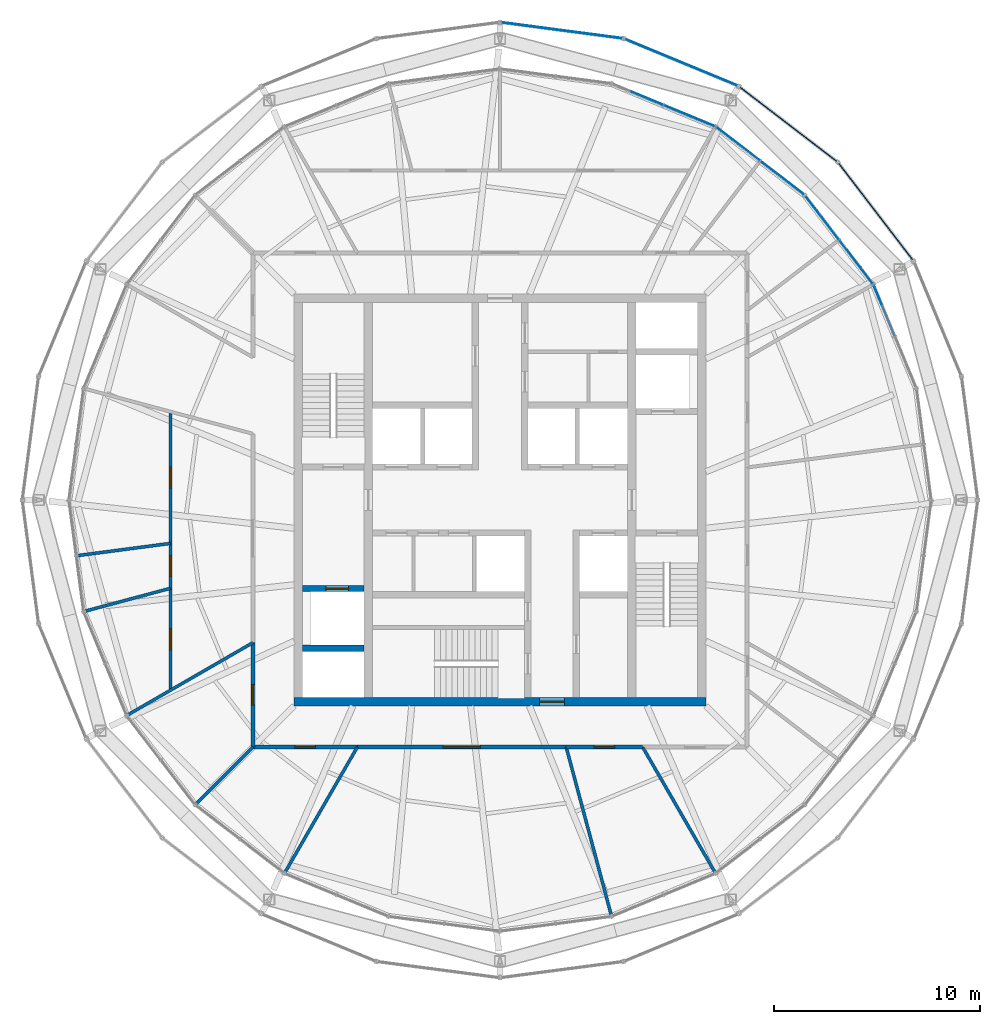
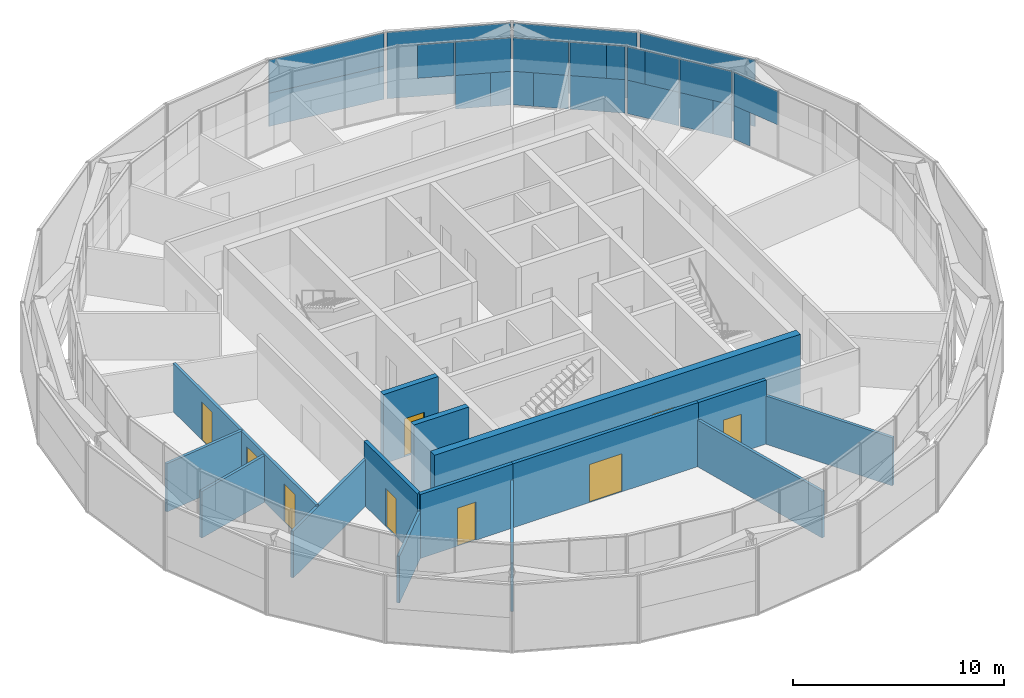
# One storey, part 13 of 17: 24 plates, 15 walls, 9 doors, 9 openings, 8 elements without a shape of their own.
"""IFC4 building model written with IfcOpenShell, lengths in metres."""

from ifc_helpers import new_model, si_unit, direction, frame, frame_2d, origin, origin_2d, place, context, subcontext, project, spatial, rectangle, extrude, material, layer, layer_set, type_object, element, fill, aggregate, save


model = new_model("IFC4")

# Units and contexts
model_context = context("Model", 3, precision=1e-05, world=origin(), true_north=direction((0.0, 1.0)))
body_context = subcontext(model_context, "Body", "Model", "MODEL_VIEW")
ifc_project = project(units=[si_unit("LENGTHUNIT", "METRE"), si_unit("AREAUNIT", "SQUARE_METRE"), si_unit("VOLUMEUNIT", "CUBIC_METRE"), si_unit("PLANEANGLEUNIT", "RADIAN"), si_unit("MASSUNIT", "GRAM", prefix="KILO")], contexts=[model_context])

# Site, building, storey
site_placement = place(None, origin())
site = spatial("IfcSite", under=ifc_project, at=site_placement, CompositionType="ELEMENT")
building_placement = place(site_placement, origin())
building = spatial("IfcBuilding", under=site, at=building_placement, Name="Golbaran Civic Tower", CompositionType="ELEMENT")
storey_placement = place(building_placement, frame((0.0, 0.0, 280.0)))
storey = spatial("IfcBuildingStorey", under=building, at=storey_placement, Name="L68", CompositionType="ELEMENT", Elevation=280.0)

# Curtain wall, plate
ifc_material_1 = material(Name="Aluminium and glass", Category="aluminium")
curtain_wall_type_1 = type_object("IfcCurtainWallType", Name="INNER SKIN CURTAIN WALL EXECUTIVE", PredefinedType="NOTDEFINED", material=ifc_material_1)
curtain_wall_1_placement = place(storey_placement, origin())
curtain_wall_1 = element("IfcCurtainWall", 1, at=curtain_wall_1_placement, inside=storey, type_object=curtain_wall_type_1, Name="Inner skin L68 facet 2 CW2", ObjectType="INNER SKIN", PredefinedType="USERDEFINED")
ifc_material_2 = material(Name="Clear insulating glass", Category="glass")
ifc_layer_1 = layer(ifc_material_2, 0.031982421875, Name="Clear insulating glass")
ifc_layer_set_1 = layer_set([ifc_layer_1], Name="Clear insulating glass")
plate_type_1 = type_object("IfcPlateType", Name="INNER SKIN CURTAIN WALL EXECUTIVE GLAZED PANEL", PredefinedType="CURTAIN_PANEL", material=ifc_layer_set_1)
plate_1_placement = place(storey_placement, frame((18.340576171875, 9.965087890625, 0.06005859375), z_axis=(0.0, 0.0, 1.0), x_axis=(-0.382683432349, 0.923879532518, 0.0)))
plate_1 = element("IfcPlate", 2, at=plate_1_placement, type_object=plate_type_1, Name="CW2 panel 2.1 part 2", PredefinedType="CURTAIN_PANEL", context=body_context, shape_type="SweptSolid", body=[
    extrude(rectangle(XDim=0.9697265625, YDim=0.031982421875, at=origin_2d()), origin(), (0.0, 0.0, 1.0), 1.93994140625),
])

# Curtain wall, plates
curtain_wall_2_placement = place(storey_placement, origin())
curtain_wall_2 = element("IfcCurtainWall", 3, at=curtain_wall_2_placement, inside=storey, type_object=curtain_wall_type_1, Name="Inner skin L68 facet 3 CW2", ObjectType="INNER SKIN", PredefinedType="USERDEFINED")
plate_2_placement = place(storey_placement, frame((17.80029296875, 10.90087890625, 0.06005859375), z_axis=(0.0, 0.0, 1.0), x_axis=(-0.608761428939, 0.793353340344, 0.0)))
plate_2 = element("IfcPlate", 4, at=plate_2_placement, type_object=plate_type_1, Name="CW2 panel 1.1 part 1", PredefinedType="CURTAIN_PANEL", context=body_context, shape_type="SweptSolid", body=[
    extrude(rectangle(XDim=0.969970703125, YDim=0.031982421875, at=origin_2d()), origin(), (0.0, 0.0, 1.0), 1.93994140625),
])
plate_3_placement = place(storey_placement, frame((15.114501953125, 14.40087890625, 2.0), z_axis=(0.0, 0.0, 1.0), x_axis=(-0.608761428939, 0.793353340344, 0.0)))
plate_3 = element("IfcPlate", 5, at=plate_3_placement, type_object=plate_type_1, Name="CW2 panel 2.1 part 3", PredefinedType="CURTAIN_PANEL", context=body_context, shape_type="SweptSolid", body=[
    extrude(rectangle(XDim=0.897705078125, YDim=0.031982421875, at=origin_2d()), origin(), (0.0, 0.0, 1.0), 1.93994140625),
])

curtain_wall_3_placement = place(storey_placement, origin())
curtain_wall_3 = element("IfcCurtainWall", 6, at=curtain_wall_3_placement, inside=storey, type_object=curtain_wall_type_1, Name="Inner skin L68 facet 4 CW2", ObjectType="INNER SKIN", PredefinedType="USERDEFINED")
plate_4_placement = place(storey_placement, frame((14.4013671875, 15.1142578125, 2.0), z_axis=(0.0, 0.0, 1.0), x_axis=(-0.793353340344, 0.608761428939, 0.0)))
plate_4 = element("IfcPlate", 7, at=plate_4_placement, type_object=plate_type_1, Name="CW2 panel 1.1 part 2", PredefinedType="CURTAIN_PANEL", context=body_context, shape_type="SweptSolid", body=[
    extrude(rectangle(XDim=0.89697265625, YDim=0.031982421875, at=origin_2d()), origin(), (0.0, 0.0, 1.0), 1.93994140625),
])
plate_5_placement = place(storey_placement, frame((10.90087890625, 17.80029296875, 0.06005859375), z_axis=(0.0, 0.0, 1.0), x_axis=(-0.793353340344, 0.608761428939, 0.0)))
plate_5 = element("IfcPlate", 8, at=plate_5_placement, type_object=plate_type_1, Name="CW2 panel 2.1 part 2", PredefinedType="CURTAIN_PANEL", context=body_context, shape_type="SweptSolid", body=[
    extrude(rectangle(XDim=0.9697265625, YDim=0.031982421875, at=origin_2d()), origin(), (0.0, 0.0, 1.0), 1.93994140625),
])

# Curtain wall, plate
curtain_wall_4_placement = place(storey_placement, origin())
curtain_wall_4 = element("IfcCurtainWall", 9, at=curtain_wall_4_placement, inside=storey, type_object=curtain_wall_type_1, Name="Inner skin L68 facet 5 CW2", ObjectType="INNER SKIN", PredefinedType="USERDEFINED")
plate_6_placement = place(storey_placement, frame((9.965087890625, 18.340576171875, 0.06005859375), z_axis=(0.0, 0.0, 1.0), x_axis=(-0.923879532518, 0.382683432349, 0.0)))
plate_6 = element("IfcPlate", 10, at=plate_6_placement, type_object=plate_type_1, Name="CW2 panel 1.1 part 1", PredefinedType="CURTAIN_PANEL", context=body_context, shape_type="SweptSolid", body=[
    extrude(rectangle(XDim=0.969970703125, YDim=0.031982421875, at=origin_2d()), origin(), (0.0, 0.0, 1.0), 1.93994140625),
])

# Plate
ifc_material_3 = material(Name="Aluminium faced opaque infill panel", Category="aluminium")
ifc_layer_2 = layer(ifc_material_3, 0.031982421875, Name="Aluminium faced opaque infill panel")
ifc_layer_set_2 = layer_set([ifc_layer_2], Name="Aluminium faced opaque infill panel")
plate_type_2 = type_object("IfcPlateType", Name="INNER SKIN CURTAIN WALL EXECUTIVE OPAQUE INFILL PANEL", PredefinedType="CURTAIN_PANEL", material=ifc_layer_set_2)
plate_7_placement = place(storey_placement, frame((18.66064453125, 9.192138671875, 2.0), z_axis=(0.0, 0.0, 1.0), x_axis=(-0.382683432349, 0.923879532518, 0.0)))
plate_7 = element("IfcPlate", 11, at=plate_7_placement, type_object=plate_type_2, Name="CW2 infill panel 2.1 part 3", PredefinedType="CURTAIN_PANEL", context=body_context, shape_type="SweptSolid", body=[
    extrude(rectangle(XDim=2.642822265625, YDim=0.031982421875, at=origin_2d()), origin(), (0.0, 0.0, 1.0), 1.93994140625),
])

aggregate(curtain_wall_1, [plate_1, plate_7])

plate_8_placement = place(storey_placement, frame((16.995849609375, 11.94921875, 0.06005859375), z_axis=(0.0, 0.0, 1.0), x_axis=(-0.608761428939, 0.793353340344, 0.0)))
plate_8 = element("IfcPlate", 12, at=plate_8_placement, type_object=plate_type_2, Name="CW2 infill panel 1.1 part 2", PredefinedType="CURTAIN_PANEL", context=body_context, shape_type="SweptSolid", body=[
    extrude(rectangle(XDim=1.6728515625, YDim=0.031982421875, at=origin_2d()), origin(), (0.0, 0.0, 1.0), 1.93994140625),
])

plate_9_placement = place(storey_placement, frame((17.291015625, 11.564453125, 2.0), z_axis=(0.0, 0.0, 1.0), x_axis=(-0.608761428939, 0.793353340344, 0.0)))
plate_9 = element("IfcPlate", 13, at=plate_9_placement, type_object=plate_type_2, Name="CW2 infill panel 1.1 part 3", PredefinedType="CURTAIN_PANEL", context=body_context, shape_type="SweptSolid", body=[
    extrude(rectangle(XDim=2.642822265625, YDim=0.031982421875, at=origin_2d()), origin(), (0.0, 0.0, 1.0), 1.93994140625),
])

plate_10_placement = place(storey_placement, frame((15.645751953125, 13.708740234375, 0.06005859375), z_axis=(0.0, 0.0, 1.0), x_axis=(-0.608761428939, 0.793353340344, 0.0)))
plate_10 = element("IfcPlate", 14, at=plate_10_placement, type_object=plate_type_2, Name="CW2 infill panel 2.1 part 1", PredefinedType="CURTAIN_PANEL", context=body_context, shape_type="SweptSolid", body=[
    extrude(rectangle(XDim=2.642822265625, YDim=0.031982421875, at=origin_2d()), origin(), (0.0, 0.0, 1.0), 1.93994140625),
])

plate_11_placement = place(storey_placement, frame((15.9189453125, 13.3525390625, 2.0), z_axis=(0.0, 0.0, 1.0), x_axis=(-0.608761428939, 0.793353340344, 0.0)))
plate_11 = element("IfcPlate", 15, at=plate_11_placement, type_object=plate_type_2, Name="CW2 infill panel 2.1 part 2", PredefinedType="CURTAIN_PANEL", context=body_context, shape_type="SweptSolid", body=[
    extrude(rectangle(XDim=1.7451171875, YDim=0.031982421875, at=origin_2d()), origin(), (0.0, 0.0, 1.0), 1.93994140625),
])

aggregate(curtain_wall_2, [plate_2, plate_8, plate_9, plate_10, plate_11, plate_3])

plate_12_placement = place(storey_placement, frame((13.708740234375, 15.645751953125, 0.06005859375), z_axis=(0.0, 0.0, 1.0), x_axis=(-0.793353340344, 0.608761428939, 0.0)))
plate_12 = element("IfcPlate", 16, at=plate_12_placement, type_object=plate_type_2, Name="CW2 infill panel 1.1 part 1", PredefinedType="CURTAIN_PANEL", context=body_context, shape_type="SweptSolid", body=[
    extrude(rectangle(XDim=2.642822265625, YDim=0.031982421875, at=origin_2d()), origin(), (0.0, 0.0, 1.0), 1.93994140625),
])

plate_13_placement = place(storey_placement, frame((13.35302734375, 15.918701171875, 2.0), z_axis=(0.0, 0.0, 1.0), x_axis=(-0.793353340344, 0.608761428939, 0.0)))
plate_13 = element("IfcPlate", 17, at=plate_13_placement, type_object=plate_type_2, Name="CW2 infill panel 1.1 part 3", PredefinedType="CURTAIN_PANEL", context=body_context, shape_type="SweptSolid", body=[
    extrude(rectangle(XDim=1.745849609375, YDim=0.031982421875, at=origin_2d()), origin(), (0.0, 0.0, 1.0), 1.93994140625),
])

plate_14_placement = place(storey_placement, frame((11.94921875, 16.995849609375, 0.06005859375), z_axis=(0.0, 0.0, 1.0), x_axis=(-0.793353340344, 0.608761428939, 0.0)))
plate_14 = element("IfcPlate", 18, at=plate_14_placement, type_object=plate_type_2, Name="CW2 infill panel 2.1 part 1", PredefinedType="CURTAIN_PANEL", context=body_context, shape_type="SweptSolid", body=[
    extrude(rectangle(XDim=1.673095703125, YDim=0.031982421875, at=origin_2d()), origin(), (0.0, 0.0, 1.0), 1.93994140625),
])

plate_15_placement = place(storey_placement, frame((11.564453125, 17.291015625, 2.0), z_axis=(0.0, 0.0, 1.0), x_axis=(-0.793353340344, 0.608761428939, 0.0)))
plate_15 = element("IfcPlate", 19, at=plate_15_placement, type_object=plate_type_2, Name="CW2 infill panel 2.1 part 3", PredefinedType="CURTAIN_PANEL", context=body_context, shape_type="SweptSolid", body=[
    extrude(rectangle(XDim=2.642822265625, YDim=0.031982421875, at=origin_2d()), origin(), (0.0, 0.0, 1.0), 1.93994140625),
])

aggregate(curtain_wall_3, [plate_12, plate_4, plate_13, plate_14, plate_5, plate_15])

plate_16_placement = place(storey_placement, frame((8.744140625, 18.84619140625, 0.06005859375), z_axis=(0.0, 0.0, 1.0), x_axis=(-0.923879532518, 0.382683432349, 0.0)))
plate_16 = element("IfcPlate", 20, at=plate_16_placement, type_object=plate_type_2, Name="CW2 infill panel 1.1 part 2", PredefinedType="CURTAIN_PANEL", context=body_context, shape_type="SweptSolid", body=[
    extrude(rectangle(XDim=1.6728515625, YDim=0.031982421875, at=origin_2d()), origin(), (0.0, 0.0, 1.0), 1.93994140625),
])

plate_17_placement = place(storey_placement, frame((9.192138671875, 18.66064453125, 2.0), z_axis=(0.0, 0.0, 1.0), x_axis=(-0.923879532518, 0.382683432349, 0.0)))
plate_17 = element("IfcPlate", 21, at=plate_17_placement, type_object=plate_type_2, Name="CW2 infill panel 1.1 part 3", PredefinedType="CURTAIN_PANEL", context=body_context, shape_type="SweptSolid", body=[
    extrude(rectangle(XDim=2.642822265625, YDim=0.031982421875, at=origin_2d()), origin(), (0.0, 0.0, 1.0), 1.93994140625),
])

plate_18_placement = place(storey_placement, frame((7.10986328125, 19.523193359375, 2.0), z_axis=(0.0, 0.0, 1.0), x_axis=(-0.923879532518, 0.382683432349, 0.0)))
plate_18 = element("IfcPlate", 22, at=plate_18_placement, type_object=plate_type_2, Name="CW2 infill panel 2.1 part 2", PredefinedType="CURTAIN_PANEL", context=body_context, shape_type="SweptSolid", body=[
    extrude(rectangle(XDim=1.7451171875, YDim=0.031982421875, at=origin_2d()), origin(), (0.0, 0.0, 1.0), 1.93994140625),
])

aggregate(curtain_wall_4, [plate_6, plate_16, plate_17, plate_18])

# Curtain wall, plates
curtain_wall_type_2 = type_object("IfcCurtainWallType", Name="OUTER SKIN TERRACOTTA SCREEN", PredefinedType="NOTDEFINED", material=ifc_material_1)
curtain_wall_5_placement = place(storey_placement, origin())
curtain_wall_5 = element("IfcCurtainWall", 23, at=curtain_wall_5_placement, inside=storey, type_object=curtain_wall_type_2, Name="Outer skin L68 facet 4 CW3", ObjectType="OUTER SKIN", PredefinedType="USERDEFINED")
ifc_material_4 = material(Name="Terracotta baguette screen", Category="masonry")
ifc_layer_3 = layer(ifc_material_4, 0.0400390625, Name="Terracotta baguette screen")
ifc_layer_set_3 = layer_set([ifc_layer_3], Name="Terracotta baguette screen")
plate_type_3 = type_object("IfcPlateType", Name="OUTER SKIN TERRACOTTA INFILL PANEL", PredefinedType="CURTAIN_PANEL", material=ifc_layer_set_3)
plate_19_placement = place(storey_placement, frame((14.00244140625, 18.248291015625, -0.6298828125), z_axis=(0.0, 0.0, 1.0), x_axis=(-0.793353340344, 0.608761428939, 0.0)))
plate_19 = element("IfcPlate", 24, at=plate_19_placement, type_object=plate_type_3, Name="CW3 infill panel 1.1 part 1", PredefinedType="CURTAIN_PANEL", context=body_context, shape_type="SweptSolid", body=[
    extrude(rectangle(XDim=5.896484375, YDim=0.0400390625, at=origin_2d()), origin(), (0.0, 0.0, 1.0), 1.919921875),
])
plate_20_placement = place(storey_placement, frame((14.00244140625, 18.248291015625, 1.2900390625), z_axis=(0.0, 0.0, 1.0), x_axis=(-0.793353340344, 0.608761428939, 0.0)))
plate_20 = element("IfcPlate", 25, at=plate_20_placement, type_object=plate_type_3, Name="CW3 infill panel 1.1 part 2", PredefinedType="CURTAIN_PANEL", context=body_context, shape_type="SweptSolid", body=[
    extrude(rectangle(XDim=5.896484375, YDim=0.0400390625, at=origin_2d()), origin(), (0.0, 0.0, 1.0), 1.919921875),
])
aggregate(curtain_wall_5, [plate_19, plate_20])

curtain_wall_6_placement = place(storey_placement, origin())
curtain_wall_6 = element("IfcCurtainWall", 26, at=curtain_wall_6_placement, inside=storey, type_object=curtain_wall_type_2, Name="Outer skin L68 facet 6 CW3", ObjectType="OUTER SKIN", PredefinedType="USERDEFINED")
plate_21_placement = place(storey_placement, frame((3.002197265625, 22.8046875, -0.6298828125), z_axis=(0.0, 0.0, 1.0), x_axis=(-0.991444861374, 0.13052619222, 0.0)))
plate_21 = element("IfcPlate", 27, at=plate_21_placement, type_object=plate_type_3, Name="CW3 infill panel 1.1 part 1", PredefinedType="CURTAIN_PANEL", context=body_context, shape_type="SweptSolid", body=[
    extrude(rectangle(XDim=5.896484375, YDim=0.0400390625, at=origin_2d()), origin(), (0.0, 0.0, 1.0), 1.919921875),
])
plate_22_placement = place(storey_placement, frame((3.002197265625, 22.8046875, 1.2900390625), z_axis=(0.0, 0.0, 1.0), x_axis=(-0.991444861374, 0.13052619222, 0.0)))
plate_22 = element("IfcPlate", 28, at=plate_22_placement, type_object=plate_type_3, Name="CW3 infill panel 1.1 part 2", PredefinedType="CURTAIN_PANEL", context=body_context, shape_type="SweptSolid", body=[
    extrude(rectangle(XDim=5.896484375, YDim=0.0400390625, at=origin_2d()), origin(), (0.0, 0.0, 1.0), 1.919921875),
])
aggregate(curtain_wall_6, [plate_21, plate_22])

# Curtain wall, plate
curtain_wall_7_placement = place(storey_placement, origin())
curtain_wall_7 = element("IfcCurtainWall", 29, at=curtain_wall_7_placement, inside=storey, type_object=curtain_wall_type_2, Name="Outer skin L68 facet 3 CW3", ObjectType="OUTER SKIN", PredefinedType="USERDEFINED")
ifc_layer_4 = layer(ifc_material_4, 0.0400390625, Name="Terracotta baguette screen")
ifc_layer_set_4 = layer_set([ifc_layer_4], Name="Terracotta baguette screen")
plate_type_4 = type_object("IfcPlateType", Name="OUTER SKIN TERRACOTTA SCREEN PANEL", PredefinedType="CURTAIN_PANEL", material=ifc_layer_set_4)
plate_23_placement = place(storey_placement, frame((18.248291015625, 14.00244140625, -0.6298828125), z_axis=(0.0, 0.0, 1.0), x_axis=(-0.608761428939, 0.793353340344, 0.0)))
plate_23 = element("IfcPlate", 30, at=plate_23_placement, type_object=plate_type_4, Name="CW3 terracotta screen panel 1.1", PredefinedType="CURTAIN_PANEL", context=body_context, shape_type="SweptSolid", body=[
    extrude(rectangle(XDim=5.896484375, YDim=0.0400390625, at=origin_2d()), origin(), (0.0, 0.0, 1.0), 3.840087890625),
])
aggregate(curtain_wall_7, [plate_23])

curtain_wall_8_placement = place(storey_placement, origin())
curtain_wall_8 = element("IfcCurtainWall", 31, at=curtain_wall_8_placement, inside=storey, type_object=curtain_wall_type_2, Name="Outer skin L68 facet 5 CW3", ObjectType="OUTER SKIN", PredefinedType="USERDEFINED")
plate_24_placement = place(storey_placement, frame((8.80224609375, 21.250732421875, -0.6298828125), z_axis=(0.0, 0.0, 1.0), x_axis=(-0.923879532525, 0.382683432333, 0.0)))
plate_24 = element("IfcPlate", 32, at=plate_24_placement, type_object=plate_type_4, Name="CW3 terracotta screen panel 1.1", PredefinedType="CURTAIN_PANEL", context=body_context, shape_type="SweptSolid", body=[
    extrude(rectangle(XDim=5.896484375, YDim=0.0400390625, at=origin_2d()), origin(), (0.0, 0.0, 1.0), 3.840087890625),
])
aggregate(curtain_wall_8, [plate_24])

# Wall, opening, door
ifc_material_5 = material(Name="Concrete C50/60", Category="concrete")
ifc_layer_5 = layer(ifc_material_5, 0.39990234375, Name="Concrete C50/60")
ifc_layer_set_5 = layer_set([ifc_layer_5], Name="Concrete C50/60")
wall_type_1 = type_object("IfcWallType", Name="CORE WALL CONCRETE 400", PredefinedType="SOLIDWALL", material=ifc_layer_set_5)
wall_1_placement = place(storey_placement, frame((10.0, -9.800048828125, 0.0), z_axis=(0.0, 0.0, 1.0), x_axis=(-1.0, 0.0, 0.0)))
wall_1 = element("IfcWall", 33, at=wall_1_placement, inside=storey, type_object=wall_type_1, Name="Core wall CS L68", PredefinedType="SOLIDWALL", context=body_context, shape_type="SweptSolid", body=[
    extrude(rectangle(XDim=20.0, YDim=0.39990234375, at=frame_2d((10.0, 0.0))), origin(), (0.0, 0.0, 1.0), 4.0),
])
opening_1_placement = place(wall_1_placement, frame((6.875, 0.0, 0.0)))
opening_1 = element("IfcOpeningElement", 34, at=opening_1_placement, cuts=wall_1, Name="Opening L68.CS", PredefinedType="OPENING", context=body_context, shape_type="SweptSolid", body=[
    extrude(rectangle(XDim=1.199951171875, YDim=2.199951171875, at=frame_2d((0.60009765625, 1.10009765625))), frame((0.0, 0.2099609375, 0.0), z_axis=(0.0, -1.0, 0.0), x_axis=(1.0, 0.0, 0.0)), (0.0, 0.0, 1.0), 0.419921875),
])
ifc_material_6 = material(Name="Timber door set in steel frame", Category="steel")
door_type_1 = type_object("IfcDoorType", Name="CORE DOOR 1200x2200", OperationType="DOUBLE_DOOR_SINGLE_SWING", PredefinedType="DOOR", material=ifc_material_6)
door_1_placement = place(opening_1_placement, origin())
door_1 = element("IfcDoor", 35, at=door_1_placement, inside=storey, type_object=door_type_1, Name="Core door south", OperationType="DOUBLE_DOOR_SINGLE_SWING", OverallHeight=2.199951171875, OverallWidth=1.199951171875, PredefinedType="DOOR", context=body_context, shape_type="SweptSolid", body=[
    extrude(rectangle(XDim=1.199951171875, YDim=2.199951171875, at=frame_2d((0.60009765625, 1.10009765625))), frame((0.0, 0.02490234375, 0.0), z_axis=(0.0, -1.0, 0.0), x_axis=(1.0, 0.0, 0.0)), (0.0, 0.0, 1.0), 0.050048828125),
])
fill(opening_1, door_1)

ifc_material_7 = material(Name="Gypsum board on steel studs, fire-rated", Category="steel")
ifc_layer_6 = layer(ifc_material_7, 0.199951171875, Name="Gypsum board on steel studs, fire-rated")
ifc_layer_set_6 = layer_set([ifc_layer_6], Name="Gypsum board on steel studs, fire-rated")
wall_type_2 = type_object("IfcWallType", Name="CORRIDOR WALL 200", PredefinedType="PARTITIONING", material=ifc_layer_set_6)
wall_2_placement = place(storey_placement, frame((-12.0, -6.92822265625, 0.0), z_axis=(0.0, 0.0, 1.0), x_axis=(0.0, -1.0, 0.0)))
wall_2 = element("IfcWall", 36, at=wall_2_placement, inside=storey, type_object=wall_type_2, Name="Corridor wall L68", PredefinedType="PARTITIONING", context=body_context, shape_type="SweptSolid", body=[
    extrude(rectangle(XDim=5.07177734375, YDim=0.199951171875, at=frame_2d((2.535888671875, 0.0))), origin(), (0.0, 0.0, 1.0), 3.699951171875),
])
opening_2_placement = place(wall_2_placement, frame((2.035888671875, 0.0, 0.0)))
opening_2 = element("IfcOpeningElement", 37, at=opening_2_placement, cuts=wall_2, Name="Opening L68.16", PredefinedType="OPENING", context=body_context, shape_type="SweptSolid", body=[
    extrude(rectangle(XDim=1.0, YDim=2.199951171875, at=frame_2d((0.5, 1.10009765625))), frame((0.0, 0.10986328125, 0.0), z_axis=(0.0, -1.0, 0.0), x_axis=(1.0, 0.0, 0.0)), (0.0, 0.0, 1.0), 0.219970703125),
])
door_type_2 = type_object("IfcDoorType", Name="OFFICE DOOR 1000x2200", OperationType="SINGLE_SWING_LEFT", PredefinedType="DOOR", material=ifc_material_6)
door_2_placement = place(opening_2_placement, origin())
door_2 = element("IfcDoor", 38, at=door_2_placement, inside=storey, type_object=door_type_2, Name="Print and Copy Room door L68", OperationType="SINGLE_SWING_RIGHT", OverallHeight=2.199951171875, OverallWidth=1.0, PredefinedType="DOOR", context=body_context, shape_type="SweptSolid", body=[
    extrude(rectangle(XDim=1.0, YDim=2.199951171875, at=frame_2d((0.5, 1.10009765625))), frame((0.0, 0.02490234375, 0.0), z_axis=(0.0, -1.0, 0.0), x_axis=(1.0, 0.0, 0.0)), (0.0, 0.0, 1.0), 0.050048828125),
])
fill(opening_2, door_2)

wall_3_placement = place(storey_placement, frame((-12.0, -12.0, 0.0), z_axis=(0.0, 0.0, 1.0), x_axis=(1.0, 0.0, 0.0)))
wall_3 = element("IfcWall", 39, at=wall_3_placement, inside=storey, type_object=wall_type_2, Name="Corridor wall L68", PredefinedType="PARTITIONING", context=body_context, shape_type="SweptSolid", body=[
    extrude(rectangle(XDim=5.07177734375, YDim=0.199951171875, at=frame_2d((2.535888671875, 0.0))), origin(), (0.0, 0.0, 1.0), 3.699951171875),
])
opening_3_placement = place(wall_3_placement, frame((2.035888671875, 0.0, 0.0)))
opening_3 = element("IfcOpeningElement", 40, at=opening_3_placement, cuts=wall_3, Name="Opening L68.17", PredefinedType="OPENING", context=body_context, shape_type="SweptSolid", body=[
    extrude(rectangle(XDim=1.0, YDim=2.199951171875, at=frame_2d((0.5, 1.10009765625))), frame((0.0, 0.10986328125, 0.0), z_axis=(0.0, -1.0, 0.0), x_axis=(1.0, 0.0, 0.0)), (0.0, 0.0, 1.0), 0.219970703125),
])
door_3_placement = place(opening_3_placement, origin())
door_3 = element("IfcDoor", 41, at=door_3_placement, inside=storey, type_object=door_type_2, Name="Serving Pantry door L68", OperationType="SINGLE_SWING_LEFT", OverallHeight=2.199951171875, OverallWidth=1.0, PredefinedType="DOOR", context=body_context, shape_type="SweptSolid", body=[
    extrude(rectangle(XDim=1.0, YDim=2.199951171875, at=frame_2d((0.5, 1.10009765625))), frame((0.0, 0.02490234375, 0.0), z_axis=(0.0, -1.0, 0.0), x_axis=(1.0, 0.0, 0.0)), (0.0, 0.0, 1.0), 0.050048828125),
])
fill(opening_3, door_3)

wall_4_placement = place(storey_placement, frame((-6.92822265625, -12.0, 0.0), z_axis=(0.0, 0.0, 1.0), x_axis=(1.0, 0.0, 0.0)))
wall_4 = element("IfcWall", 42, at=wall_4_placement, inside=storey, type_object=wall_type_2, Name="Corridor wall L68", PredefinedType="PARTITIONING", context=body_context, shape_type="SweptSolid", body=[
    extrude(rectangle(XDim=10.1435546875, YDim=0.199951171875, at=frame_2d((5.07177734375, 0.0))), origin(), (0.0, 0.0, 1.0), 3.699951171875),
])
opening_4_placement = place(wall_4_placement, frame((4.171875, 0.0, 0.0)))
opening_4 = element("IfcOpeningElement", 43, at=opening_4_placement, cuts=wall_4, Name="Opening L68.18", PredefinedType="OPENING", context=body_context, shape_type="SweptSolid", body=[
    extrude(rectangle(XDim=1.800048828125, YDim=2.199951171875, at=frame_2d((0.89990234375, 1.10009765625))), frame((0.0, 0.10986328125, 0.0), z_axis=(0.0, -1.0, 0.0), x_axis=(1.0, 0.0, 0.0)), (0.0, 0.0, 1.0), 0.219970703125),
])
door_type_3 = type_object("IfcDoorType", Name="OFFICE DOUBLE DOOR 1800x2200", OperationType="DOUBLE_DOOR_SINGLE_SWING", PredefinedType="DOOR", material=ifc_material_6)
door_4_placement = place(opening_4_placement, origin())
door_4 = element("IfcDoor", 44, at=door_4_placement, inside=storey, type_object=door_type_3, Name="Executive Dining Room door L68", OperationType="DOUBLE_DOOR_SINGLE_SWING", OverallHeight=2.199951171875, OverallWidth=1.800048828125, PredefinedType="DOOR", context=body_context, shape_type="SweptSolid", body=[
    extrude(rectangle(XDim=1.800048828125, YDim=2.199951171875, at=frame_2d((0.89990234375, 1.10009765625))), frame((0.0, 0.02490234375, 0.0), z_axis=(0.0, -1.0, 0.0), x_axis=(1.0, 0.0, 0.0)), (0.0, 0.0, 1.0), 0.050048828125),
])
fill(opening_4, door_4)

wall_5_placement = place(storey_placement, frame((3.21533203125, -12.0, 0.0), z_axis=(0.0, 0.0, 1.0), x_axis=(1.0, 0.0, 0.0)))
wall_5 = element("IfcWall", 45, at=wall_5_placement, inside=storey, type_object=wall_type_2, Name="Corridor wall L68", PredefinedType="PARTITIONING", context=body_context, shape_type="SweptSolid", body=[
    extrude(rectangle(XDim=3.712890625, YDim=0.199951171875, at=frame_2d((1.8564453125, 0.0))), origin(), (0.0, 0.0, 1.0), 3.699951171875),
])
opening_5_placement = place(wall_5_placement, frame((1.3564453125, 0.0, 0.0)))
opening_5 = element("IfcOpeningElement", 46, at=opening_5_placement, cuts=wall_5, Name="Opening L68.19", PredefinedType="OPENING", context=body_context, shape_type="SweptSolid", body=[
    extrude(rectangle(XDim=1.0, YDim=2.199951171875, at=frame_2d((0.5, 1.10009765625))), frame((0.0, 0.10986328125, 0.0), z_axis=(0.0, -1.0, 0.0), x_axis=(1.0, 0.0, 0.0)), (0.0, 0.0, 1.0), 0.219970703125),
])
door_5_placement = place(opening_5_placement, origin())
door_5 = element("IfcDoor", 47, at=door_5_placement, inside=storey, type_object=door_type_2, Name="Office door L68", OperationType="SINGLE_SWING_LEFT", OverallHeight=2.199951171875, OverallWidth=1.0, PredefinedType="DOOR", context=body_context, shape_type="SweptSolid", body=[
    extrude(rectangle(XDim=1.0, YDim=2.199951171875, at=frame_2d((0.5, 1.10009765625))), frame((0.0, 0.02490234375, 0.0), z_axis=(0.0, -1.0, 0.0), x_axis=(1.0, 0.0, 0.0)), (0.0, 0.0, 1.0), 0.050048828125),
])
fill(opening_5, door_5)

# Walls
ifc_material_8 = material(Name="Gypsum board on steel studs", Category="steel")
ifc_layer_7 = layer(ifc_material_8, 0.14990234375, Name="Gypsum board on steel studs")
ifc_layer_set_7 = layer_set([ifc_layer_7], Name="Gypsum board on steel studs")
wall_type_3 = type_object("IfcWallType", Name="OFFICE PARTITION 150", PredefinedType="PARTITIONING", material=ifc_layer_set_7)
wall_6_placement = place(storey_placement, frame((-12.0, -6.92822265625, 0.0), z_axis=(0.0, 0.0, 1.0), x_axis=(-0.866031452229, -0.49998952364, 0.0)))
element("IfcWall", 48, at=wall_6_placement, inside=storey, type_object=wall_type_3, Name="Partition 210 L68", PredefinedType="PARTITIONING", context=body_context, shape_type="SweptSolid", body=[
    extrude(rectangle(XDim=6.989990234375, YDim=0.14990234375, at=frame_2d((3.4951171875, 0.0))), origin(), (0.0, 0.0, 1.0), 2.699951171875),
])
wall_7_placement = place(storey_placement, frame((-12.0, -12.0, 0.0), z_axis=(0.0, 0.0, 1.0), x_axis=(-0.707106781187, -0.707106781187, 0.0)))
element("IfcWall", 49, at=wall_7_placement, inside=storey, type_object=wall_type_3, Name="Partition 225 L68", PredefinedType="PARTITIONING", context=body_context, shape_type="SweptSolid", body=[
    extrude(rectangle(XDim=3.875732421875, YDim=0.14990234375, at=frame_2d((1.93798828125, 0.0))), origin(), (0.0, 0.0, 1.0), 2.699951171875),
])
wall_8_placement = place(storey_placement, frame((-6.92822265625, -12.0, 0.0), z_axis=(0.0, 0.0, 1.0), x_axis=(-0.49998952364, -0.866031452229, 0.0)))
element("IfcWall", 50, at=wall_8_placement, inside=storey, type_object=wall_type_3, Name="Partition 240 L68", PredefinedType="PARTITIONING", context=body_context, shape_type="SweptSolid", body=[
    extrude(rectangle(XDim=6.989990234375, YDim=0.14990234375, at=frame_2d((3.4951171875, 0.0))), origin(), (0.0, 0.0, 1.0), 2.7900390625),
])
wall_9_placement = place(storey_placement, frame((3.21533203125, -12.0, 0.0), z_axis=(0.0, 0.0, 1.0), x_axis=(0.258835086115, -0.96592152797, 0.0)))
element("IfcWall", 51, at=wall_9_placement, inside=storey, type_object=wall_type_3, Name="Partition 285 L68", PredefinedType="PARTITIONING", context=body_context, shape_type="SweptSolid", body=[
    extrude(rectangle(XDim=8.423095703125, YDim=0.14990234375, at=frame_2d((4.21142578125, 0.0))), origin(), (0.0, 0.0, 1.0), 2.699951171875),
])
wall_10_placement = place(storey_placement, frame((6.92822265625, -12.0, 0.0), z_axis=(0.0, 0.0, 1.0), x_axis=(0.49998952364, -0.866031452229, 0.0)))
element("IfcWall", 52, at=wall_10_placement, inside=storey, type_object=wall_type_3, Name="Partition 300 L68", PredefinedType="PARTITIONING", context=body_context, shape_type="SweptSolid", body=[
    extrude(rectangle(XDim=6.989990234375, YDim=0.14990234375, at=frame_2d((3.4951171875, 0.0))), origin(), (0.0, 0.0, 1.0), 2.7900390625),
])

# Wall, openings, doors
wall_11_placement = place(storey_placement, frame((-16.0, 4.287109375, 0.0), z_axis=(0.0, 0.0, 1.0), x_axis=(0.0, -1.0, 0.0)))
wall_11 = element("IfcWall", 53, at=wall_11_placement, inside=storey, type_object=wall_type_3, Name="Suite partition L68", PredefinedType="PARTITIONING", context=body_context, shape_type="SweptSolid", body=[
    extrude(rectangle(XDim=13.524658203125, YDim=0.14990234375, at=frame_2d((6.76220703125, 0.0))), origin(), (0.0, 0.0, 1.0), 2.7900390625),
])
opening_6_placement = place(wall_11_placement, frame((2.69677734375, 0.0, 0.0)))
opening_6 = element("IfcOpeningElement", 54, at=opening_6_placement, cuts=wall_11, Name="Opening L68.04", PredefinedType="OPENING", context=body_context, shape_type="SweptSolid", body=[
    extrude(rectangle(XDim=1.0, YDim=2.199951171875, at=frame_2d((0.5, 1.10009765625))), frame((0.0, 0.0849609375, 0.0), z_axis=(0.0, -1.0, 0.0), x_axis=(1.0, 0.0, 0.0)), (0.0, 0.0, 1.0), 0.169921875),
])
opening_7_placement = place(wall_11_placement, frame((6.98388671875, 0.0, 0.0)))
opening_7 = element("IfcOpeningElement", 55, at=opening_7_placement, cuts=wall_11, Name="Opening L68.05", PredefinedType="OPENING", context=body_context, shape_type="SweptSolid", body=[
    extrude(rectangle(XDim=1.0, YDim=2.199951171875, at=frame_2d((0.5, 1.10009765625))), frame((0.0, 0.0849609375, 0.0), z_axis=(0.0, -1.0, 0.0), x_axis=(1.0, 0.0, 0.0)), (0.0, 0.0, 1.0), 0.169921875),
])
opening_8_placement = place(wall_11_placement, frame((10.549560546875, 0.0, 0.0)))
opening_8 = element("IfcOpeningElement", 56, at=opening_8_placement, cuts=wall_11, Name="Opening L68.06", PredefinedType="OPENING", context=body_context, shape_type="SweptSolid", body=[
    extrude(rectangle(XDim=1.0, YDim=2.199951171875, at=frame_2d((0.5, 1.10009765625))), frame((0.0, 0.0849609375, 0.0), z_axis=(0.0, -1.0, 0.0), x_axis=(1.0, 0.0, 0.0)), (0.0, 0.0, 1.0), 0.169921875),
])
door_6_placement = place(opening_6_placement, origin())
door_6 = element("IfcDoor", 57, at=door_6_placement, inside=storey, type_object=door_type_2, Name="Assistants' Office door L68", OperationType="SINGLE_SWING_LEFT", OverallHeight=2.199951171875, OverallWidth=1.0, PredefinedType="DOOR", context=body_context, shape_type="SweptSolid", body=[
    extrude(rectangle(XDim=1.0, YDim=2.199951171875, at=frame_2d((0.5, 1.10009765625))), frame((0.0, 0.02490234375, 0.0), z_axis=(0.0, -1.0, 0.0), x_axis=(1.0, 0.0, 0.0)), (0.0, 0.0, 1.0), 0.050048828125),
])
fill(opening_6, door_6)
door_7_placement = place(opening_7_placement, origin())
door_7 = element("IfcDoor", 58, at=door_7_placement, inside=storey, type_object=door_type_2, Name="Assistants' Office door L68", OperationType="SINGLE_SWING_RIGHT", OverallHeight=2.199951171875, OverallWidth=1.0, PredefinedType="DOOR", context=body_context, shape_type="SweptSolid", body=[
    extrude(rectangle(XDim=1.0, YDim=2.199951171875, at=frame_2d((0.5, 1.10009765625))), frame((0.0, 0.02490234375, 0.0), z_axis=(0.0, -1.0, 0.0), x_axis=(1.0, 0.0, 0.0)), (0.0, 0.0, 1.0), 0.050048828125),
])
fill(opening_7, door_7)
door_8_placement = place(opening_8_placement, origin())
door_8 = element("IfcDoor", 59, at=door_8_placement, inside=storey, type_object=door_type_2, Name="Assistants' Office door L68", OperationType="SINGLE_SWING_RIGHT", OverallHeight=2.199951171875, OverallWidth=1.0, PredefinedType="DOOR", context=body_context, shape_type="SweptSolid", body=[
    extrude(rectangle(XDim=1.0, YDim=2.199951171875, at=frame_2d((0.5, 1.10009765625))), frame((0.0, 0.02490234375, 0.0), z_axis=(0.0, -1.0, 0.0), x_axis=(1.0, 0.0, 0.0)), (0.0, 0.0, 1.0), 0.050048828125),
])
fill(opening_8, door_8)

# Walls
wall_12_placement = place(storey_placement, frame((-16.0, -2.1064453125, 0.0), z_axis=(0.0, 0.0, 1.0), x_axis=(-0.991443101484, -0.130539559217, 0.0)))
element("IfcWall", 60, at=wall_12_placement, inside=storey, type_object=wall_type_3, Name="Partition 187.5 L68", PredefinedType="PARTITIONING", context=body_context, shape_type="SweptSolid", body=[
    extrude(rectangle(XDim=4.52978515625, YDim=0.14990234375, at=frame_2d((2.264892578125, 0.0))), origin(), (0.0, 0.0, 1.0), 2.7900390625),
])
wall_13_placement = place(storey_placement, frame((-16.0, -4.287109375, 0.0), z_axis=(0.0, 0.0, 1.0), x_axis=(-0.965916236437, -0.258854832266, 0.0)))
element("IfcWall", 61, at=wall_13_placement, inside=storey, type_object=wall_type_3, Name="Partition 195 L68", PredefinedType="PARTITIONING", context=body_context, shape_type="SweptSolid", body=[
    extrude(rectangle(XDim=4.281982421875, YDim=0.14990234375, at=frame_2d((2.14111328125, 0.0))), origin(), (0.0, 0.0, 1.0), 2.699951171875),
])

# Wall, opening, door
ifc_layer_8 = layer(ifc_material_5, 0.300048828125, Name="Concrete C50/60")
ifc_layer_set_8 = layer_set([ifc_layer_8], Name="Concrete C50/60")
wall_type_4 = type_object("IfcWallType", Name="SHAFT WALL CONCRETE 300", PredefinedType="SOLIDWALL", material=ifc_layer_set_8)
wall_14_placement = place(storey_placement, frame((-9.60009765625, -4.300048828125, 0.0), z_axis=(0.0, 0.0, 1.0), x_axis=(1.0, 0.0, 0.0)))
wall_14 = element("IfcWall", 62, at=wall_14_placement, inside=storey, type_object=wall_type_4, Name="Core wall XW2 L68", PredefinedType="SOLIDWALL", context=body_context, shape_type="SweptSolid", body=[
    extrude(rectangle(XDim=3.0, YDim=0.300048828125, at=frame_2d((1.5, 0.0))), origin(), (0.0, 0.0, 1.0), 4.0),
])
opening_9_placement = place(wall_14_placement, frame((1.14990234375, 0.0, 0.0)))
opening_9 = element("IfcOpeningElement", 63, at=opening_9_placement, cuts=wall_14, Name="Opening L68.LD-F1", PredefinedType="OPENING", context=body_context, shape_type="SweptSolid", body=[
    extrude(rectangle(XDim=1.10009765625, YDim=2.199951171875, at=frame_2d((0.550048828125, 1.10009765625))), frame((0.0, 0.159912109375, 0.0), z_axis=(0.0, -1.0, 0.0), x_axis=(1.0, 0.0, 0.0)), (0.0, 0.0, 1.0), 0.320068359375),
])
ifc_material_9 = material(Name="Stainless steel", Category="steel")
door_type_4 = type_object("IfcDoorType", Name="LIFT LANDING DOOR 1100x2200", OperationType="SLIDING_TO_LEFT", PredefinedType="DOOR", material=ifc_material_9)
door_9_placement = place(opening_9_placement, origin())
door_9 = element("IfcDoor", 64, at=door_9_placement, inside=storey, type_object=door_type_4, Name="Lift landing door F1", OperationType="SLIDING_TO_LEFT", OverallHeight=2.199951171875, OverallWidth=1.10009765625, PredefinedType="DOOR", context=body_context, shape_type="SweptSolid", body=[
    extrude(rectangle(XDim=1.10009765625, YDim=2.199951171875, at=frame_2d((0.550048828125, 1.10009765625))), frame((0.0, 0.02490234375, 0.0), z_axis=(0.0, -1.0, 0.0), x_axis=(1.0, 0.0, 0.0)), (0.0, 0.0, 1.0), 0.050048828125),
])
fill(opening_9, door_9)

# Wall
wall_15_placement = place(storey_placement, frame((-9.60009765625, -7.199951171875, 0.0), z_axis=(0.0, 0.0, 1.0), x_axis=(1.0, 0.0, 0.0)))
element("IfcWall", 65, at=wall_15_placement, inside=storey, type_object=wall_type_4, Name="Core wall XW3 L68", PredefinedType="SOLIDWALL", context=body_context, shape_type="SweptSolid", body=[
    extrude(rectangle(XDim=3.0, YDim=0.300048828125, at=frame_2d((1.5, 0.0))), origin(), (0.0, 0.0, 1.0), 4.0),
])

save(model, "model.ifc")
